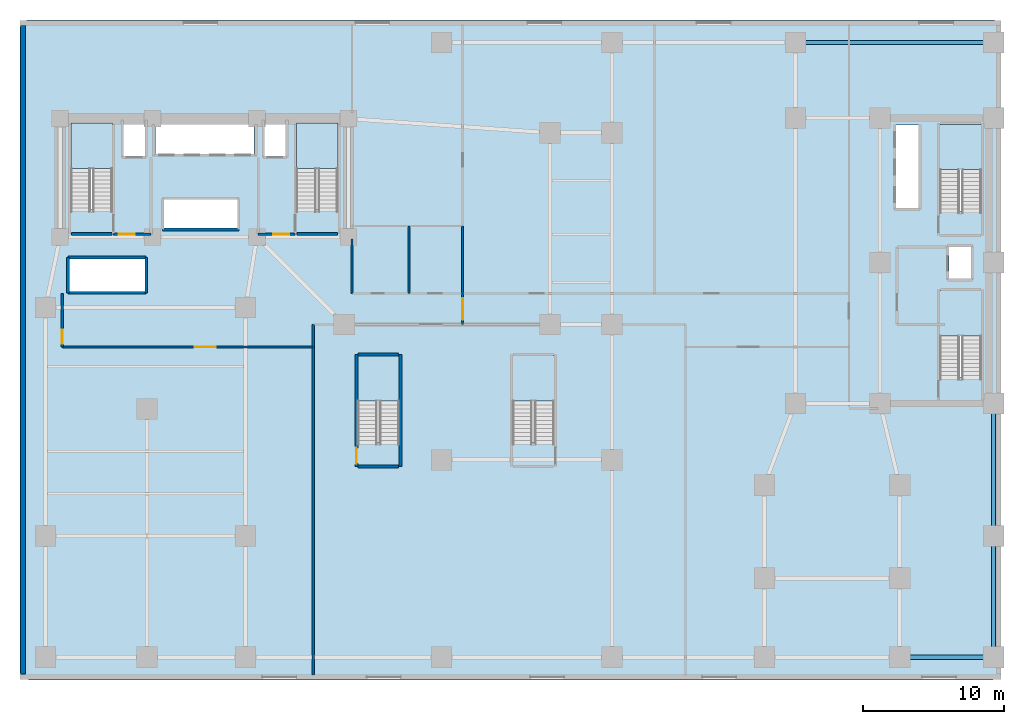
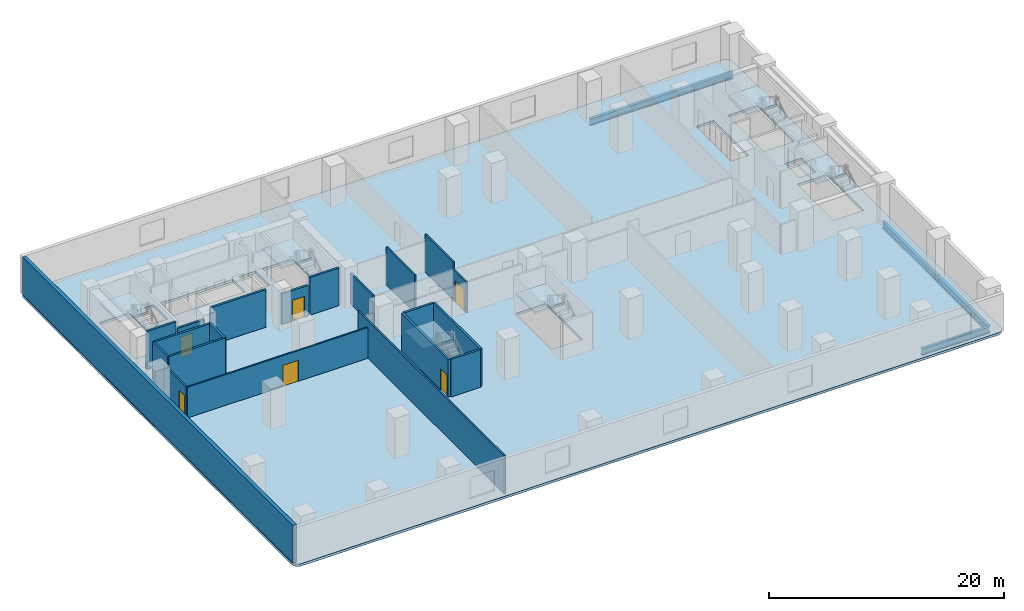
# One storey, part 2 of 8: 21 walls, 7 slabs, 6 doors, 4 beams, 6 openings, 6 elements without a shape of their own.
"""IFC4 building model written with IfcOpenShell, lengths in metres."""

from ifc_helpers import new_model, si_unit, direction, frame, frame_2d, origin, origin_2d, place, context, subcontext, project, spatial, polyline, rectangle, i_section, outline, extrude, material, layer, layer_set, material_profile, profile_set, type_object, element, fill, aggregate, save


model = new_model("IFC4")

# Units and contexts
model_context = context("Model", 3, precision=1e-05, world=origin(), true_north=direction((0.0, 1.0)))
body_context = subcontext(model_context, "Body", "Model", "MODEL_VIEW")
ifc_project = project(units=[si_unit("LENGTHUNIT", "METRE"), si_unit("AREAUNIT", "SQUARE_METRE"), si_unit("VOLUMEUNIT", "CUBIC_METRE"), si_unit("PLANEANGLEUNIT", "RADIAN"), si_unit("MASSUNIT", "GRAM", prefix="KILO")], contexts=[model_context])

# Site, building, storey
site_placement = place(None, origin())
site = spatial("IfcSite", under=ifc_project, at=site_placement, CompositionType="ELEMENT")
building_placement = place(site_placement, origin())
building = spatial("IfcBuilding", under=site, at=building_placement, Name="Kuzgunbayir Cultural Tower", CompositionType="ELEMENT")
storey_placement = place(building_placement, frame((0.0, 0.0, 17.60009765625)))
storey = spatial("IfcBuildingStorey", under=building, at=storey_placement, Name="L04", CompositionType="ELEMENT", Elevation=17.60009765625)

# Beams
ifc_material_1 = material(Name="Steel S355J2", Category="steel")
ifc_material_profile = material_profile(ifc_material_1, i_section(OverallWidth=0.300048828125, OverallDepth=0.699951171875, WebThickness=0.01708984375, FlangeThickness=0.031982421875, FilletRadius=0.027099609375, at=origin_2d()), Name="HEB 700")
ifc_profile_set = profile_set([ifc_material_profile], Name="Steel S355J2")
beam_type = type_object("IfcBeamType", Name="BM-GIR-HEB700", PredefinedType="BEAM", material=ifc_profile_set)
beam_1_placement = place(storey_placement, frame((66.0, 4.0, -0.60009765625), z_axis=(1.0, 0.0, 0.0), x_axis=(0.0, 1.0, 0.0)))
element("IfcBeam", 1, at=beam_1_placement, inside=storey, type_object=beam_type, Name="L04 Podium South Girder 7", PredefinedType="BEAM", context=body_context, shape_type="SweptSolid", body=[
    extrude(i_section(OverallWidth=0.300048828125, OverallDepth=0.699951171875, WebThickness=0.01708984375, FlangeThickness=0.031982421875, FilletRadius=0.027099609375, at=origin_2d()), origin(), (0.0, 0.0, 1.0), 6.64990234375),
])
beam_2_placement = place(storey_placement, frame((58.60009765625, 47.60009765625, -0.60009765625), z_axis=(1.0, 0.0, 0.0), x_axis=(0.0, 1.0, 0.0)))
element("IfcBeam", 2, at=beam_2_placement, inside=storey, type_object=beam_type, Name="L04 Podium North Girder 3", PredefinedType="BEAM", context=body_context, shape_type="SweptSolid", body=[
    extrude(i_section(OverallWidth=0.300048828125, OverallDepth=0.699951171875, WebThickness=0.01708984375, FlangeThickness=0.031982421875, FilletRadius=0.027099609375, at=origin_2d()), origin(), (0.0, 0.0, 1.0), 14.0498046875),
])
beam_3_placement = place(storey_placement, frame((72.64990234375, 4.0, -0.60009765625), z_axis=(0.0, 1.0, 0.0), x_axis=(-1.0, 0.0, 0.0)))
element("IfcBeam", 3, at=beam_3_placement, inside=storey, type_object=beam_type, Name="L04 Podium Primary Girder 39", PredefinedType="BEAM", context=body_context, shape_type="SweptSolid", body=[
    extrude(i_section(OverallWidth=0.300048828125, OverallDepth=0.699951171875, WebThickness=0.01708984375, FlangeThickness=0.031982421875, FilletRadius=0.027099609375, at=origin_2d()), origin(), (0.0, 0.0, 1.0), 8.60009765625),
])
beam_4_placement = place(storey_placement, frame((72.64990234375, 12.60009765625, -0.60009765625), z_axis=(0.0, 1.0, 0.0), x_axis=(-1.0, 0.0, 0.0)))
element("IfcBeam", 4, at=beam_4_placement, inside=storey, type_object=beam_type, Name="L04 Podium Primary Girder 40", PredefinedType="BEAM", context=body_context, shape_type="SweptSolid", body=[
    extrude(i_section(OverallWidth=0.300048828125, OverallDepth=0.699951171875, WebThickness=0.01708984375, FlangeThickness=0.031982421875, FilletRadius=0.027099609375, at=origin_2d()), origin(), (0.0, 0.0, 1.0), 9.39990234375),
])

# Stair, slab
ifc_material_2 = material(Name="Concrete C40/50", Category="concrete")
stair_type_1 = type_object("IfcStairType", Name="STR-EXIT-CORE", PredefinedType="HALF_TURN_STAIR", material=ifc_material_2)
stair_1_placement = place(storey_placement, origin())
stair_1 = element("IfcStair", 5, at=stair_1_placement, inside=storey, type_object=stair_type_1, Name="L04 ST-1", PredefinedType="HALF_TURN_STAIR")
ifc_layer_1 = layer(ifc_material_2, 0.179931640625)
ifc_layer_set_1 = layer_set([ifc_layer_1], Name="Concrete C40/50")
slab_type_1 = type_object("IfcSlabType", Name="SLB-LANDING-180", PredefinedType="LANDING", material=ifc_layer_set_1)
slab_1_placement = place(storey_placement, frame((0.0, 0.0, 1.89990234375)))
slab_1 = element("IfcSlab", 6, at=slab_1_placement, type_object=slab_type_1, Name="ST-1 landing 1", PredefinedType="LANDING", context=body_context, shape_type="SweptSolid", body=[
    extrude(outline(polyline([(10.159912109375, 38.679931640625), (10.159912109375, 41.89990234375), (7.199951171875, 41.89990234375), (7.199951171875, 38.679931640625), (10.159912109375, 38.679931640625)])), origin(), (0.0, 0.0, 1.0), 0.199951171875),
])
aggregate(stair_1, [slab_1])

stair_2_placement = place(storey_placement, origin())
stair_2 = element("IfcStair", 7, at=stair_2_placement, inside=storey, type_object=stair_type_1, Name="L04 ST-2", PredefinedType="HALF_TURN_STAIR")
slab_2_placement = place(storey_placement, frame((0.0, 0.0, 1.89990234375)))
slab_2 = element("IfcSlab", 8, at=slab_2_placement, type_object=slab_type_1, Name="ST-2 landing 1", PredefinedType="LANDING", context=body_context, shape_type="SweptSolid", body=[
    extrude(outline(polyline([(26.159912109375, 38.679931640625), (26.159912109375, 41.89990234375), (23.199951171875, 41.89990234375), (23.199951171875, 38.679931640625), (26.159912109375, 38.679931640625)])), origin(), (0.0, 0.0, 1.0), 0.199951171875),
])
aggregate(stair_2, [slab_2])

stair_3_placement = place(storey_placement, origin())
stair_3 = element("IfcStair", 9, at=stair_3_placement, inside=storey, type_object=stair_type_1, Name="L04 ST-3", PredefinedType="HALF_TURN_STAIR")
slab_3_placement = place(storey_placement, frame((0.0, 0.0, 1.89990234375)))
slab_3 = element("IfcSlab", 10, at=slab_3_placement, type_object=slab_type_1, Name="ST-3 landing 1", PredefinedType="LANDING", context=body_context, shape_type="SweptSolid", body=[
    extrude(outline(polyline([(71.800048828125, 26.780029296875), (71.800048828125, 30.0), (68.840087890625, 30.0), (68.840087890625, 26.780029296875), (71.800048828125, 26.780029296875)])), origin(), (0.0, 0.0, 1.0), 0.199951171875),
])
aggregate(stair_3, [slab_3])

stair_4_placement = place(storey_placement, origin())
stair_4 = element("IfcStair", 11, at=stair_4_placement, inside=storey, type_object=stair_type_1, Name="L04 ST-4", PredefinedType="HALF_TURN_STAIR")
slab_4_placement = place(storey_placement, frame((0.0, 0.0, 1.89990234375)))
slab_4 = element("IfcSlab", 12, at=slab_4_placement, type_object=slab_type_1, Name="ST-4 landing 1", PredefinedType="LANDING", context=body_context, shape_type="SweptSolid", body=[
    extrude(outline(polyline([(71.800048828125, 38.580078125), (71.800048828125, 41.800048828125), (68.840087890625, 41.800048828125), (68.840087890625, 38.580078125), (71.800048828125, 38.580078125)])), origin(), (0.0, 0.0, 1.0), 0.199951171875),
])
aggregate(stair_4, [slab_4])

stair_type_2 = type_object("IfcStairType", Name="STR-PODIUM-ESC", PredefinedType="HALF_TURN_STAIR", material=ifc_material_2)
stair_5_placement = place(storey_placement, origin())
stair_5 = element("IfcStair", 13, at=stair_5_placement, inside=storey, type_object=stair_type_2, Name="L04 ST-5", PredefinedType="HALF_TURN_STAIR")
slab_5_placement = place(storey_placement, frame((0.0, 0.0, 1.89990234375)))
slab_5 = element("IfcSlab", 14, at=slab_5_placement, type_object=slab_type_1, Name="ST-5 landing 1", PredefinedType="LANDING", context=body_context, shape_type="SweptSolid", body=[
    extrude(outline(polyline([(30.5, 22.179931640625), (30.5, 25.39990234375), (27.5400390625, 25.39990234375), (27.5400390625, 22.179931640625), (30.5, 22.179931640625)])), origin(), (0.0, 0.0, 1.0), 0.199951171875),
])
aggregate(stair_5, [slab_5])

stair_6_placement = place(storey_placement, origin())
stair_6 = element("IfcStair", 15, at=stair_6_placement, inside=storey, type_object=stair_type_2, Name="L04 ST-6", PredefinedType="HALF_TURN_STAIR")
slab_6_placement = place(storey_placement, frame((0.0, 0.0, 1.89990234375)))
slab_6 = element("IfcSlab", 16, at=slab_6_placement, type_object=slab_type_1, Name="ST-6 landing 1", PredefinedType="LANDING", context=body_context, shape_type="SweptSolid", body=[
    extrude(outline(polyline([(41.5, 22.179931640625), (41.5, 25.39990234375), (38.5400390625, 25.39990234375), (38.5400390625, 22.179931640625), (41.5, 22.179931640625)])), origin(), (0.0, 0.0, 1.0), 0.199951171875),
])
aggregate(stair_6, [slab_6])

# Slab
ifc_layer_2 = layer(ifc_material_2, 0.25)
ifc_layer_set_2 = layer_set([ifc_layer_2], Name="Concrete C40/50")
slab_type_2 = type_object("IfcSlabType", Name="SLB-POD-250", PredefinedType="FLOOR", material=ifc_layer_set_2)
slab_7_placement = place(storey_placement, frame((0.0, 0.0, -0.25)))
element("IfcSlab", 17, at=slab_7_placement, inside=storey, type_object=slab_type_2, Name="L04 Podium Structural Floor Slab", PredefinedType="FLOOR", context=body_context, shape_type="SweptSolid", body=[
    extrude(outline(polyline([(72.60009765625, 2.39990234375), (72.719970703125, 2.409912109375), (72.830078125, 2.449951171875), (72.929931640625, 2.5), (73.02001953125, 2.580078125), (73.10009765625, 2.669921875), (73.14990234375, 2.77001953125), (73.18994140625, 2.8798828125), (73.199951171875, 3.0), (73.199951171875, 48.60009765625), (73.18994140625, 48.719970703125), (73.14990234375, 48.830078125), (73.10009765625, 48.929931640625), (73.02001953125, 49.02001953125), (72.929931640625, 49.10009765625), (72.830078125, 49.14990234375), (72.719970703125, 49.18994140625), (72.60009765625, 49.199951171875), (4.199951171875, 49.199951171875), (4.080078125, 49.18994140625), (3.969970703125, 49.14990234375), (3.8701171875, 49.10009765625), (3.780029296875, 49.02001953125), (3.699951171875, 48.929931640625), (3.64990234375, 48.830078125), (3.610107421875, 48.719970703125), (3.60009765625, 48.60009765625), (3.60009765625, 3.0), (3.610107421875, 2.8798828125), (3.64990234375, 2.77001953125), (3.699951171875, 2.669921875), (3.780029296875, 2.580078125), (3.8701171875, 2.5), (3.969970703125, 2.449951171875), (4.080078125, 2.409912109375), (4.199951171875, 2.39990234375), (72.60009765625, 2.39990234375)]), holes=[polyline([(7.199951171875, 35.760009765625), (7.199951171875, 41.89990234375), (10.159912109375, 41.89990234375), (10.159912109375, 35.760009765625), (7.199951171875, 35.760009765625)]), polyline([(23.199951171875, 35.760009765625), (23.199951171875, 41.89990234375), (26.159912109375, 41.89990234375), (26.159912109375, 35.760009765625), (23.199951171875, 35.760009765625)]), polyline([(68.840087890625, 23.860107421875), (68.840087890625, 30.0), (71.800048828125, 30.0), (71.800048828125, 23.860107421875), (68.840087890625, 23.860107421875)]), polyline([(68.840087890625, 35.659912109375), (68.840087890625, 41.800048828125), (71.800048828125, 41.800048828125), (71.800048828125, 35.659912109375), (68.840087890625, 35.659912109375)]), polyline([(27.5400390625, 19.260009765625), (27.5400390625, 25.39990234375), (30.5, 25.39990234375), (30.5, 19.260009765625), (27.5400390625, 19.260009765625)]), polyline([(38.5400390625, 19.260009765625), (38.5400390625, 25.39990234375), (41.5, 25.39990234375), (41.5, 19.260009765625), (38.5400390625, 19.260009765625)]), polyline([(13.199951171875, 39.699951171875), (13.199951171875, 41.800048828125), (20.199951171875, 41.800048828125), (20.199951171875, 39.699951171875), (13.199951171875, 39.699951171875)]), polyline([(13.75, 34.39990234375), (13.75, 36.5), (19.080078125, 36.5), (19.080078125, 34.39990234375), (13.75, 34.39990234375)]), polyline([(7.10009765625, 29.89990234375), (7.10009765625, 32.300048828125), (12.5, 32.300048828125), (12.5, 29.89990234375), (7.10009765625, 29.89990234375)]), polyline([(10.89990234375, 39.5), (10.89990234375, 41.89990234375), (12.5, 41.89990234375), (12.5, 39.5), (10.89990234375, 39.5)]), polyline([(20.89990234375, 39.5), (20.89990234375, 41.89990234375), (22.5, 41.89990234375), (22.5, 39.5), (20.89990234375, 39.5)]), polyline([(65.699951171875, 35.800048828125), (65.699951171875, 41.75), (67.39990234375, 41.75), (67.39990234375, 35.800048828125), (65.699951171875, 35.800048828125)]), polyline([(69.5, 30.800048828125), (69.5, 33.199951171875), (71.10009765625, 33.199951171875), (71.10009765625, 30.800048828125), (69.5, 30.800048828125)])]), origin(), (0.0, 0.0, 1.0), 0.25),
])

# Wall
ifc_material_3 = material(Name="Anatolian Cream Limestone", Category="masonry")
ifc_layer_3 = layer(ifc_material_3, 0.35009765625)
ifc_layer_set_3 = layer_set([ifc_layer_3], Name="Anatolian Cream Limestone")
wall_type_1 = type_object("IfcWallType", Name="WAL-EXT-STONE-350", PredefinedType="STANDARD", material=ifc_layer_set_3)
wall_1_placement = place(storey_placement, frame((3.800048828125, 48.800048828125, 0.0), z_axis=(0.0, 0.0, 1.0), x_axis=(0.0, -1.0, 0.0)))
element("IfcWall", 18, at=wall_1_placement, inside=storey, type_object=wall_type_1, Name="L04 Podium West Civic Limestone Facade", PredefinedType="STANDARD", context=body_context, shape_type="SweptSolid", body=[
    extrude(rectangle(XDim=46.0, YDim=0.35009765625, at=frame_2d((23.0, 0.0))), origin(), (0.0, 0.0, 1.0), 3.89990234375),
])

# Wall, opening, door
ifc_material_4 = material(Name="Acoustic Double-Stud Drywall", Category="gypsum")
ifc_layer_4 = layer(ifc_material_4, 0.14990234375)
ifc_layer_set_4 = layer_set([ifc_layer_4], Name="Acoustic Double-Stud Drywall")
wall_type_2 = type_object("IfcWallType", Name="WAL-PART-ACOUSTIC-150", PredefinedType="PARTITIONING", material=ifc_layer_set_4)
wall_2_placement = place(storey_placement, frame((6.60009765625, 26.0, 0.0), z_axis=(0.0, 0.0, 1.0), x_axis=(1.0, 0.0, 0.0)))
wall_2 = element("IfcWall", 19, at=wall_2_placement, inside=storey, type_object=wall_type_2, Name="L04 West Concourse South Wall", PredefinedType="PARTITIONING", context=body_context, shape_type="SweptSolid", body=[
    extrude(rectangle(XDim=17.7998046875, YDim=0.14990234375, at=frame_2d((8.89990234375, 0.0))), origin(), (0.0, 0.0, 1.0), 3.179931640625),
])
opening_1_placement = place(wall_2_placement, frame((9.39990234375, 0.0, 0.0)))
opening_1 = element("IfcOpeningElement", 20, at=opening_1_placement, cuts=wall_2, Name="Opening DI-150", PredefinedType="OPENING", context=body_context, shape_type="SweptSolid", body=[
    extrude(rectangle(XDim=1.5, YDim=2.179931640625, at=frame_2d((0.75, 1.08984375))), frame((0.0, 0.0849609375, 0.0), z_axis=(0.0, -1.0, 0.0), x_axis=(1.0, 0.0, 0.0)), (0.0, 0.0, 1.0), 0.169921875),
])
ifc_material_5 = material(Name="Veneered Oak Double Leaf", Category="wood")
door_type_1 = type_object("IfcDoorType", Name="DR-INT-150", OperationType="DOUBLE_DOOR_SINGLE_SWING", PredefinedType="DOOR", material=ifc_material_5)
door_1_placement = place(opening_1_placement, origin())
door_1 = element("IfcDoor", 21, at=door_1_placement, inside=storey, type_object=door_type_1, Name="L04 West Hall Concourse Door", OperationType="DOUBLE_DOOR_SINGLE_SWING", OverallHeight=2.179931640625, OverallWidth=1.5, PredefinedType="DOOR", context=body_context, shape_type="SweptSolid", body=[
    extrude(rectangle(XDim=1.5, YDim=2.179931640625, at=frame_2d((0.75, 1.08984375))), frame((0.0, 0.02490234375, 0.0), z_axis=(0.0, -1.0, 0.0), x_axis=(1.0, 0.0, 0.0)), (0.0, 0.0, 1.0), 0.050048828125),
])
fill(opening_1, door_1)

wall_3_placement = place(storey_placement, frame((35.0, 27.60009765625, 0.0), z_axis=(0.0, 0.0, 1.0), x_axis=(0.0, 1.0, 0.0)))
wall_3 = element("IfcWall", 22, at=wall_3_placement, inside=storey, type_object=wall_type_2, Name="L04 Grand Concourse Mid Threshold Wall", PredefinedType="PARTITIONING", context=body_context, shape_type="SweptSolid", body=[
    extrude(rectangle(XDim=2.199951171875, YDim=0.14990234375, at=frame_2d((1.10009765625, 0.0))), origin(), (0.0, 0.0, 1.0), 3.179931640625),
])
opening_2_placement = place(wall_3_placement, frame((0.35009765625, 0.0, 0.0)))
opening_2 = element("IfcOpeningElement", 23, at=opening_2_placement, cuts=wall_3, Name="Opening DI-150", PredefinedType="OPENING", context=body_context, shape_type="SweptSolid", body=[
    extrude(rectangle(XDim=1.5, YDim=2.179931640625, at=frame_2d((0.75, 1.08984375))), frame((0.0, 0.0849609375, 0.0), z_axis=(0.0, -1.0, 0.0), x_axis=(1.0, 0.0, 0.0)), (0.0, 0.0, 1.0), 0.169921875),
])
door_2_placement = place(opening_2_placement, origin())
door_2 = element("IfcDoor", 24, at=door_2_placement, inside=storey, type_object=door_type_1, Name="L04 Grand Concourse Mid Threshold Door", OperationType="DOUBLE_DOOR_SINGLE_SWING", OverallHeight=2.179931640625, OverallWidth=1.5, PredefinedType="DOOR", context=body_context, shape_type="SweptSolid", body=[
    extrude(rectangle(XDim=1.5, YDim=2.179931640625, at=frame_2d((0.75, 1.08984375))), frame((0.0, 0.02490234375, 0.0), z_axis=(0.0, -1.0, 0.0), x_axis=(1.0, 0.0, 0.0)), (0.0, 0.0, 1.0), 0.050048828125),
])
fill(opening_2, door_2)

wall_4_placement = place(storey_placement, frame((6.60009765625, 26.0, 0.0), z_axis=(0.0, 0.0, 1.0), x_axis=(0.0, 1.0, 0.0)))
wall_4 = element("IfcWall", 25, at=wall_4_placement, inside=storey, type_object=wall_type_2, Name="L04 West Foyer Concourse Threshold", PredefinedType="PARTITIONING", context=body_context, shape_type="SweptSolid", body=[
    extrude(rectangle(XDim=3.800048828125, YDim=0.14990234375, at=frame_2d((1.89990234375, 0.0))), origin(), (0.0, 0.0, 1.0), 3.179931640625),
])
opening_3_placement = place(wall_4_placement, frame((0.239990234375, 0.0, 0.0)))
opening_3 = element("IfcOpeningElement", 26, at=opening_3_placement, cuts=wall_4, Name="Opening DI-100", PredefinedType="OPENING", context=body_context, shape_type="SweptSolid", body=[
    extrude(rectangle(XDim=1.0, YDim=2.14990234375, at=frame_2d((0.5, 1.074951171875))), frame((0.0, 0.0849609375, 0.0), z_axis=(0.0, -1.0, 0.0), x_axis=(1.0, 0.0, 0.0)), (0.0, 0.0, 1.0), 0.169921875),
])
ifc_material_6 = material(Name="Veneered Oak Single Leaf", Category="wood")
door_type_2 = type_object("IfcDoorType", Name="DR-INT-100", OperationType="NOTDEFINED", PredefinedType="DOOR", material=ifc_material_6)
door_3_placement = place(opening_3_placement, origin())
door_3 = element("IfcDoor", 27, at=door_3_placement, inside=storey, type_object=door_type_2, Name="L04 West Hall Threshold Door", OperationType="SINGLE_SWING_LEFT", OverallHeight=2.14990234375, OverallWidth=1.0, PredefinedType="DOOR", context=body_context, shape_type="SweptSolid", body=[
    extrude(rectangle(XDim=1.0, YDim=2.14990234375, at=frame_2d((0.5, 1.074951171875))), frame((0.0, 0.02490234375, 0.0), z_axis=(0.0, -1.0, 0.0), x_axis=(1.0, 0.0, 0.0)), (0.0, 0.0, 1.0), 0.050048828125),
])
fill(opening_3, door_3)

# Wall
wall_5_placement = place(storey_placement, frame((24.39990234375, 2.75, 0.0), z_axis=(0.0, 0.0, 1.0), x_axis=(0.0, 1.0, 0.0)))
element("IfcWall", 28, at=wall_5_placement, inside=storey, type_object=wall_type_2, Name="L04 West Cultural Hall Divider", PredefinedType="PARTITIONING", context=body_context, shape_type="SweptSolid", body=[
    extrude(rectangle(XDim=24.85009765625, YDim=0.14990234375, at=frame_2d((12.425048828125, 0.0))), origin(), (0.0, 0.0, 1.0), 3.89990234375),
])

# Wall, opening, door
ifc_material_7 = material(Name="Aerated Concrete Blockwork", Category="masonry")
ifc_layer_5 = layer(ifc_material_7, 0.199951171875)
ifc_layer_set_5 = layer_set([ifc_layer_5], Name="Aerated Concrete Blockwork")
wall_type_3 = type_object("IfcWallType", Name="WAL-PART-FIRE-200", PredefinedType="PARTITIONING", material=ifc_layer_set_5)
wall_6_placement = place(storey_placement, frame((10.239990234375, 34.0, 0.0), z_axis=(0.0, 0.0, 1.0), x_axis=(1.0, 0.0, 0.0)))
wall_6 = element("IfcWall", 29, at=wall_6_placement, inside=storey, type_object=wall_type_3, Name="L04 FFL-1 Lobby South Fire Wall", PredefinedType="PARTITIONING", context=body_context, shape_type="SweptSolid", body=[
    extrude(rectangle(XDim=2.659912109375, YDim=0.199951171875, at=frame_2d((1.330078125, 0.0))), origin(), (0.0, 0.0, 1.0), 3.179931640625),
])
opening_4_placement = place(wall_6_placement, frame((0.35009765625, 0.0, 0.0)))
opening_4 = element("IfcOpeningElement", 30, at=opening_4_placement, cuts=wall_6, Name="Opening DR-FFL-90", PredefinedType="OPENING", context=body_context, shape_type="SweptSolid", body=[
    extrude(rectangle(XDim=1.14990234375, YDim=2.14990234375, at=frame_2d((0.574951171875, 1.074951171875))), frame((0.0, 0.10986328125, 0.0), z_axis=(0.0, -1.0, 0.0), x_axis=(1.0, 0.0, 0.0)), (0.0, 0.0, 1.0), 0.219970703125),
])
door_type_3 = type_object("IfcDoorType", Name="DR-FFL-90", OperationType="NOTDEFINED", PredefinedType="DOOR", material=ifc_material_1)
door_4_placement = place(opening_4_placement, origin())
door_4 = element("IfcDoor", 31, at=door_4_placement, inside=storey, type_object=door_type_3, Name="L04 Firefighting Lobby 1 Door", OperationType="SINGLE_SWING_LEFT", OverallHeight=2.14990234375, OverallWidth=1.14990234375, PredefinedType="DOOR", context=body_context, shape_type="SweptSolid", body=[
    extrude(rectangle(XDim=1.14990234375, YDim=2.14990234375, at=frame_2d((0.574951171875, 1.074951171875))), frame((0.0, 0.02490234375, 0.0), z_axis=(0.0, -1.0, 0.0), x_axis=(1.0, 0.0, 0.0)), (0.0, 0.0, 1.0), 0.050048828125),
])
fill(opening_4, door_4)

wall_7_placement = place(storey_placement, frame((20.5, 34.0, 0.0), z_axis=(0.0, 0.0, 1.0), x_axis=(1.0, 0.0, 0.0)))
wall_7 = element("IfcWall", 32, at=wall_7_placement, inside=storey, type_object=wall_type_3, Name="L04 FFL-2 Lobby South Fire Wall", PredefinedType="PARTITIONING", context=body_context, shape_type="SweptSolid", body=[
    extrude(rectangle(XDim=2.60009765625, YDim=0.199951171875, at=frame_2d((1.300048828125, 0.0))), origin(), (0.0, 0.0, 1.0), 3.179931640625),
])
opening_5_placement = place(wall_7_placement, frame((1.050048828125, 0.0, 0.0)))
opening_5 = element("IfcOpeningElement", 33, at=opening_5_placement, cuts=wall_7, Name="Opening DR-FFL-90", PredefinedType="OPENING", context=body_context, shape_type="SweptSolid", body=[
    extrude(rectangle(XDim=1.14990234375, YDim=2.14990234375, at=frame_2d((0.574951171875, 1.074951171875))), frame((0.0, 0.10986328125, 0.0), z_axis=(0.0, -1.0, 0.0), x_axis=(1.0, 0.0, 0.0)), (0.0, 0.0, 1.0), 0.219970703125),
])
door_5_placement = place(opening_5_placement, origin())
door_5 = element("IfcDoor", 34, at=door_5_placement, inside=storey, type_object=door_type_3, Name="L04 Firefighting Lobby 2 Door", OperationType="SINGLE_SWING_RIGHT", OverallHeight=2.14990234375, OverallWidth=1.14990234375, PredefinedType="DOOR", context=body_context, shape_type="SweptSolid", body=[
    extrude(rectangle(XDim=1.14990234375, YDim=2.14990234375, at=frame_2d((0.574951171875, 1.074951171875))), frame((0.0, 0.02490234375, 0.0), z_axis=(0.0, -1.0, 0.0), x_axis=(1.0, 0.0, 0.0)), (0.0, 0.0, 1.0), 0.050048828125),
])
fill(opening_5, door_5)

# Walls
ifc_material_8 = material(Name="Moisture-Resistant Tile Partition", Category="gypsum")
ifc_layer_6 = layer(ifc_material_8, 0.14990234375)
ifc_layer_set_6 = layer_set([ifc_layer_6], Name="Moisture-Resistant Tile Partition")
wall_type_4 = type_object("IfcWallType", Name="WAL-PART-WET-150", PredefinedType="PARTITIONING", material=ifc_layer_set_6)
wall_8_placement = place(storey_placement, frame((27.14990234375, 29.800048828125, 0.0), z_axis=(0.0, 0.0, 1.0), x_axis=(0.0, 1.0, 0.0)))
element("IfcWall", 35, at=wall_8_placement, inside=storey, type_object=wall_type_4, Name="L04 Core East Partition South", PredefinedType="PARTITIONING", context=body_context, shape_type="SweptSolid", body=[
    extrude(rectangle(XDim=3.849853515625, YDim=0.14990234375, at=frame_2d((1.9248046875, 0.0))), origin(), (0.0, 0.0, 1.0), 3.179931640625),
])
for number, where, z_axis, x_axis, name in (
    (36, (31.199951171875, 29.800048828125, 0.0), (0.0, 0.0, 1.0), (0.0, 1.0, 0.0), "L04 Public WC East Wall"),
    (37, (35.0, 29.800048828125, 0.0), (0.0, 0.0, 1.0), (0.0, 1.0, 0.0), "L04 Accessible WC East Wall"),
):
    element("IfcWall", number, at=place(storey_placement, frame(where, z_axis=z_axis, x_axis=x_axis)), inside=storey, type_object=wall_type_4, Name=name, PredefinedType="PARTITIONING", context=body_context, shape_type="SweptSolid", body=[
        extrude(rectangle(XDim=4.800048828125, YDim=0.14990234375, at=frame_2d((2.39990234375, 0.0))), origin(), (0.0, 0.0, 1.0), 3.89990234375),
    ])
ifc_layer_7 = layer(ifc_material_2, 0.199951171875)
ifc_layer_set_7 = layer_set([ifc_layer_7], Name="Concrete C40/50")
wall_type_5 = type_object("IfcWallType", Name="WAL-SHAFT-200", PredefinedType="MOVABLE", material=ifc_layer_set_7)
for number, where, z_axis, x_axis, name in (
    (38, (7.0, 29.85009765625, 0.0), (0.0, 0.0, 1.0), (1.0, 0.0, 0.0), "L04 High-Rise Lift Shaft South Wall"),
    (39, (7.0, 32.35009765625, 0.0), (0.0, 0.0, 1.0), (1.0, 0.0, 0.0), "L04 High-Rise Lift Shaft North Wall"),
):
    element("IfcWall", number, at=place(storey_placement, frame(where, z_axis=z_axis, x_axis=x_axis)), inside=storey, type_object=wall_type_5, Name=name, PredefinedType="MOVABLE", context=body_context, shape_type="SweptSolid", body=[
        extrude(rectangle(XDim=5.550048828125, YDim=0.199951171875, at=frame_2d((2.77490234375, 0.0))), origin(), (0.0, 0.0, 1.0), 3.89990234375),
    ])
for number, where, z_axis, x_axis, name in (
    (40, (7.0, 29.85009765625, 0.0), (0.0, 0.0, 1.0), (0.0, 1.0, 0.0), "L04 High-Rise Lift Shaft West Wall"),
    (41, (12.550048828125, 29.85009765625, 0.0), (0.0, 0.0, 1.0), (0.0, 1.0, 0.0), "L04 High-Rise Lift Shaft East Wall"),
):
    element("IfcWall", number, at=place(storey_placement, frame(where, z_axis=z_axis, x_axis=x_axis)), inside=storey, type_object=wall_type_5, Name=name, PredefinedType="MOVABLE", context=body_context, shape_type="SweptSolid", body=[
        extrude(rectangle(XDim=2.5, YDim=0.199951171875, at=frame_2d((1.25, 0.0))), origin(), (0.0, 0.0, 1.0), 3.89990234375),
    ])
wall_9_placement = place(storey_placement, frame((13.699951171875, 34.35009765625, 0.0), z_axis=(0.0, 0.0, 1.0), x_axis=(1.0, 0.0, 0.0)))
element("IfcWall", 42, at=wall_9_placement, inside=storey, type_object=wall_type_5, Name="L04 Mid-Rise Lift Front Wall", PredefinedType="MOVABLE", context=body_context, shape_type="SweptSolid", body=[
    extrude(rectangle(XDim=5.420166015625, YDim=0.199951171875, at=frame_2d((2.7099609375, 0.0))), origin(), (0.0, 0.0, 1.0), 3.89990234375),
])
ifc_layer_8 = layer(ifc_material_2, 0.199951171875)
ifc_layer_set_8 = layer_set([ifc_layer_8], Name="Concrete C40/50")
wall_type_6 = type_object("IfcWallType", Name="WAL-STAIR-RC-200", PredefinedType="SHEAR", material=ifc_layer_set_8)
for number, where, z_axis, x_axis, name in (
    (43, (7.239990234375, 34.02001953125, 0.0), (0.0, 0.0, 1.0), (1.0, 0.0, 0.0), "L04 Stair ST-1 South Structural Wall"),
    (44, (23.239990234375, 34.02001953125, 0.0), (0.0, 0.0, 1.0), (1.0, 0.0, 0.0), "L04 Stair ST-2 South Structural Wall"),
):
    element("IfcWall", number, at=place(storey_placement, frame(where, z_axis=z_axis, x_axis=x_axis)), inside=storey, type_object=wall_type_6, Name=name, PredefinedType="SHEAR", context=body_context, shape_type="SweptSolid", body=[
        extrude(rectangle(XDim=2.880126953125, YDim=0.199951171875, at=frame_2d((1.43994140625, 0.0))), origin(), (0.0, 0.0, 1.0), 3.89990234375),
    ])

# Wall, opening, door
wall_10_placement = place(storey_placement, frame((27.4599609375, 17.52001953125, 0.0), z_axis=(0.0, 0.0, 1.0), x_axis=(0.0, 1.0, 0.0)))
wall_10 = element("IfcWall", 45, at=wall_10_placement, inside=storey, type_object=wall_type_6, Name="L04 Stair ST-5 West Structural Wall", PredefinedType="SHEAR", context=body_context, shape_type="SweptSolid", body=[
    extrude(rectangle(XDim=7.9599609375, YDim=0.199951171875, at=frame_2d((3.97998046875, 0.0))), origin(), (0.0, 0.0, 1.0), 3.89990234375),
])
opening_6_placement = place(wall_10_placement, frame((0.219970703125, 0.0, 0.0)))
opening_6 = element("IfcOpeningElement", 46, at=opening_6_placement, cuts=wall_10, Name="Opening DR-STAIR-90", PredefinedType="OPENING", context=body_context, shape_type="SweptSolid", body=[
    extrude(rectangle(XDim=1.10009765625, YDim=2.14990234375, at=frame_2d((0.550048828125, 1.074951171875))), frame((0.0, 0.10986328125, 0.0), z_axis=(0.0, -1.0, 0.0), x_axis=(1.0, 0.0, 0.0)), (0.0, 0.0, 1.0), 0.219970703125),
])
door_type_4 = type_object("IfcDoorType", Name="DR-STAIR-90", OperationType="NOTDEFINED", PredefinedType="DOOR", material=ifc_material_1)
door_6_placement = place(opening_6_placement, origin())
door_6 = element("IfcDoor", 47, at=door_6_placement, inside=storey, type_object=door_type_4, Name="L04 Stair ST-5 Fire Door", OperationType="SINGLE_SWING_LEFT", OverallHeight=2.14990234375, OverallWidth=1.10009765625, PredefinedType="DOOR", context=body_context, shape_type="SweptSolid", body=[
    extrude(rectangle(XDim=1.10009765625, YDim=2.14990234375, at=frame_2d((0.550048828125, 1.074951171875))), frame((0.0, 0.02490234375, 0.0), z_axis=(0.0, -1.0, 0.0), x_axis=(1.0, 0.0, 0.0)), (0.0, 0.0, 1.0), 0.050048828125),
])
fill(opening_6, door_6)

# Walls
wall_11_placement = place(storey_placement, frame((30.580078125, 17.52001953125, 0.0), z_axis=(0.0, 0.0, 1.0), x_axis=(0.0, 1.0, 0.0)))
element("IfcWall", 48, at=wall_11_placement, inside=storey, type_object=wall_type_6, Name="L04 Stair ST-5 East Structural Wall", PredefinedType="SHEAR", context=body_context, shape_type="SweptSolid", body=[
    extrude(rectangle(XDim=7.9599609375, YDim=0.199951171875, at=frame_2d((3.97998046875, 0.0))), origin(), (0.0, 0.0, 1.0), 3.89990234375),
])
for number, where, z_axis, x_axis, name in (
    (49, (27.580078125, 25.47998046875, 0.0), (0.0, 0.0, 1.0), (1.0, 0.0, 0.0), "L04 Stair ST-5 North Structural Wall"),
    (50, (27.580078125, 17.52001953125, 0.0), (0.0, 0.0, 1.0), (1.0, 0.0, 0.0), "L04 Stair ST-5 South Structural Wall"),
):
    element("IfcWall", number, at=place(storey_placement, frame(where, z_axis=z_axis, x_axis=x_axis)), inside=storey, type_object=wall_type_6, Name=name, PredefinedType="SHEAR", context=body_context, shape_type="SweptSolid", body=[
        extrude(rectangle(XDim=2.8798828125, YDim=0.199951171875, at=frame_2d((1.43994140625, 0.0))), origin(), (0.0, 0.0, 1.0), 3.89990234375),
    ])

save(model, "model.ifc")
